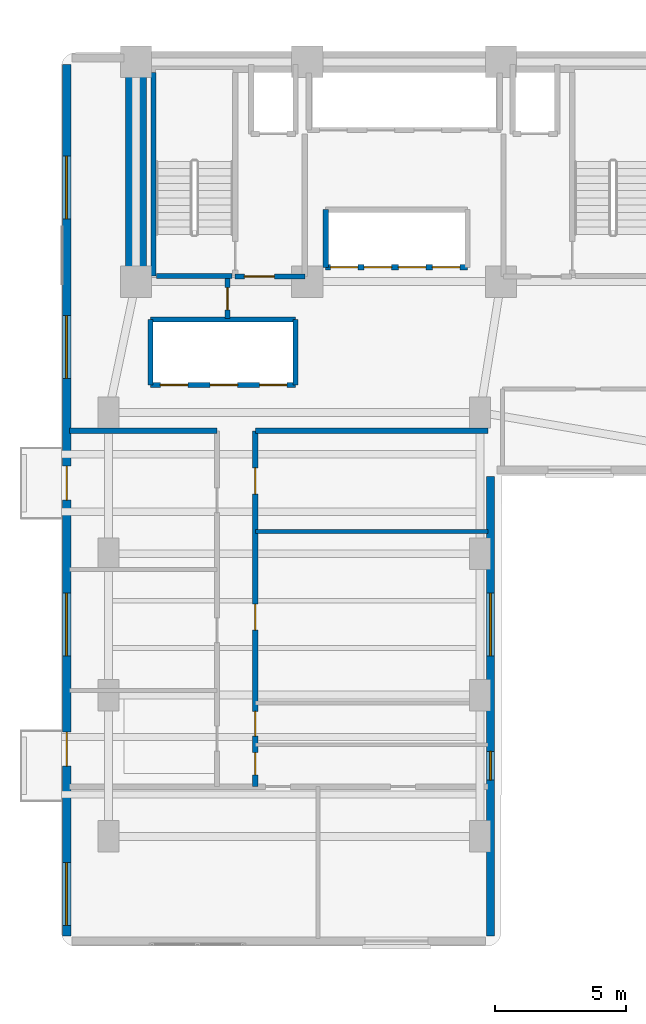
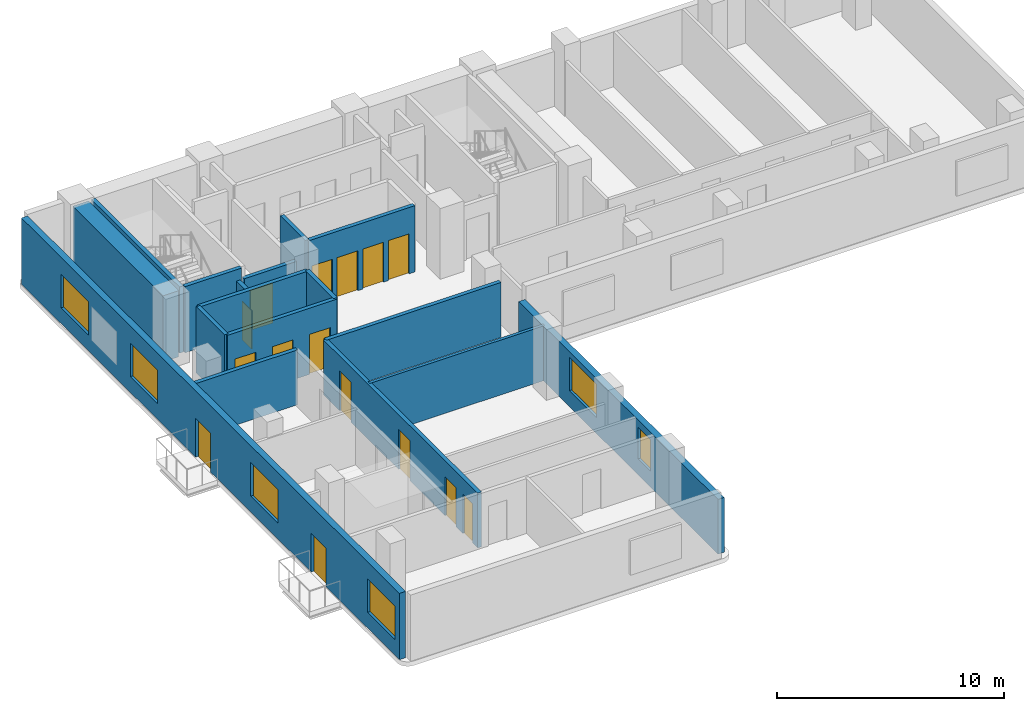
# One storey, part 9 of 16: 17 walls, 15 doors, 6 windows, 21 openings.
"""IFC4 building model written with IfcOpenShell, lengths in metres."""

import ifcopenshell
import ifcopenshell.guid

model = None  # the IFC model being written
_history = None  # IfcOwnerHistory: only IFC2X3 demands one
_inside = {}  # id of a spatial element -> (the spatial element, [elements in it])
_under = {}  # id of a project, library or spatial element -> (it, [spatial elements below it])
_declared = {}  # id of a project -> (the project, [libraries it declares])
_typed = {}  # id of a type object -> (the type object, [elements of that type])
_made_of = {}  # id of a material, layer set ... -> (it, [elements and type objects made of it])


def new_model(schema):
    """Start an empty IFC model of exactly this schema.

    Asked for "IFC4X3", IfcOpenShell would pick the latest addendum, in which some entities
    have other attributes; the version numbers below select the first issue.
    IFC2X3 requires an IfcOwnerHistory on every rooted entity: one is made here for all.
    """
    global model, _history
    if schema == "IFC4X3":
        model = ifcopenshell.file(schema_version=(4, 3, 0, 0))
    else:
        model = ifcopenshell.file(schema=schema)
    _inside.clear()
    _under.clear()
    _declared.clear()
    _typed.clear()
    _made_of.clear()
    _history = None
    if model.schema == "IFC2X3":
        org = make("IfcOrganization", Name="unknown")
        user = make(
            "IfcPersonAndOrganization",
            ThePerson=make("IfcPerson", FamilyName="unknown"),
            TheOrganization=org,
        )
        app = make(
            "IfcApplication",
            ApplicationDeveloper=org,
            Version="unknown",
            ApplicationFullName="unknown",
            ApplicationIdentifier="unknown",
        )
        _history = make(
            "IfcOwnerHistory",
            OwningUser=user,
            OwningApplication=app,
            ChangeAction="ADDED",
            CreationDate=0,
        )
    return model


def make(cls, **values):
    """One entity of the class cls with the attributes given. An attribute that is None is left unset."""
    return model.create_entity(
        cls, **{name: value for name, value in values.items() if value is not None}
    )


def rooted(cls, **values):
    """An entity with a GlobalId (a new one), such as an element, a storey or a relation."""
    return make(cls, GlobalId=ifcopenshell.guid.new(), OwnerHistory=_history, **values)


def si_unit(unit_type, name, prefix=None):
    """IfcSIUnit, for example si_unit("LENGTHUNIT", "METRE", prefix="MILLI")."""
    return make("IfcSIUnit", UnitType=unit_type, Prefix=prefix, Name=name)


def assignment(units):
    """IfcUnitAssignment: the units of a project."""
    return None if units is None else make("IfcUnitAssignment", Units=units)


def point(xyz):
    """IfcCartesianPoint."""
    return None if xyz is None else make("IfcCartesianPoint", Coordinates=xyz)


def direction(xyz):
    """IfcDirection."""
    return None if xyz is None else make("IfcDirection", DirectionRatios=xyz)


def frame(location, z_axis=None, x_axis=None):
    """IfcAxis2Placement3D, a coordinate frame: its origin and axes. An axis left out is left unset."""
    return make(
        "IfcAxis2Placement3D",
        Location=point(location),
        Axis=direction(z_axis),
        RefDirection=direction(x_axis),
    )


def frame_2d(location, x_axis=None):
    """IfcAxis2Placement2D, a coordinate frame in the plane: its origin and x axis."""
    return make(
        "IfcAxis2Placement2D", Location=point(location), RefDirection=direction(x_axis)
    )


def origin():
    """The frame at (0, 0, 0) with its axes left unset."""
    return frame((0.0, 0.0, 0.0))


def place(relative_to, where):
    """IfcLocalPlacement: puts the frame where relative to a parent placement (None: the world)."""
    return make(
        "IfcLocalPlacement", PlacementRelTo=relative_to, RelativePlacement=where
    )


def context(
    kind, dimensions, precision=None, world=None, true_north=None, identifier=None
):
    """IfcGeometricRepresentationContext, for example the 3D "Model" context."""
    return make(
        "IfcGeometricRepresentationContext",
        ContextIdentifier=identifier,
        ContextType=kind,
        CoordinateSpaceDimension=dimensions,
        Precision=precision,
        WorldCoordinateSystem=world,
        TrueNorth=true_north,
    )


def subcontext(parent, identifier, kind, view, scale=None):
    """IfcGeometricRepresentationSubContext, for example "Body" below "Model"."""
    return make(
        "IfcGeometricRepresentationSubContext",
        ContextIdentifier=identifier,
        ContextType=kind,
        ParentContext=parent,
        TargetScale=scale,
        TargetView=view,
    )


def project(units=None, contexts=None):
    """IfcProject with its units and contexts."""
    return rooted(
        "IfcProject",
        Name="project",
        RepresentationContexts=contexts,
        UnitsInContext=assignment(units),
    )


def spatial(cls, under=None, at=None, **own):
    """A site, building, storey or space (cls), placed at a placement, below another one or the project."""
    s = rooted(cls, ObjectPlacement=at, **own)
    if under is not None:
        _under.setdefault(under.id(), (under, []))[1].append(s)
    return s


def profile(cls, at=None, kind="AREA", **sizes):
    """A parametric profile (cls). Its sizes go by their IFC names, for example OverallWidth=200.0."""
    return make(cls, ProfileType=kind, Position=at, **sizes)


def rectangle(**sizes):
    """IfcRectangleProfileDef."""
    return profile("IfcRectangleProfileDef", **sizes)


def extrude(swept, where, along, depth):
    """IfcExtrudedAreaSolid: the profile swept, set in the frame where, extruded along a direction by depth."""
    return make(
        "IfcExtrudedAreaSolid",
        SweptArea=swept,
        Position=where,
        ExtrudedDirection=direction(along),
        Depth=depth,
    )


def shape(context_of_items, identifier, shape_type, items):
    """IfcShapeRepresentation: the items that make up one representation, for example the "Body"."""
    return make(
        "IfcShapeRepresentation",
        ContextOfItems=context_of_items,
        RepresentationIdentifier=identifier,
        RepresentationType=shape_type,
        Items=items,
    )


def material(Name=None, Category=None):
    """IfcMaterial."""
    return make("IfcMaterial", Name=Name, Category=Category)


def layer(
    of_material, thickness, ventilated=None, Name=None, Category=None, Priority=None
):
    """IfcMaterialLayer: one layer of a wall or slab, of a material (None: an air gap)."""
    return make(
        "IfcMaterialLayer",
        Material=of_material,
        LayerThickness=thickness,
        IsVentilated=ventilated,
        Name=Name,
        Category=Category,
        Priority=Priority,
    )


def layer_set(layers, Name=None):
    """IfcMaterialLayerSet."""
    return make("IfcMaterialLayerSet", MaterialLayers=layers, LayerSetName=Name)


def made_of(thing, what):
    """Note that an element or type object is made of a material, layer set ...; save() writes the relation."""
    if what is not None:
        _made_of.setdefault(what.id(), (what, []))[1].append(thing)
    return thing


def type_object(cls, material=None, **own):
    """A type object (cls), such as IfcWallType, which elements share."""
    return made_of(rooted(cls, **own), material)


def element(
    cls,
    number,
    at=None,
    inside=None,
    cuts=None,
    type_object=None,
    material=None,
    context=None,
    identifier="Body",
    shape_type=None,
    held_by="IfcProductDefinitionShape",
    body=None,
    shapes=None,
    **own,
):
    """One element of the class cls, such as IfcWall. Its Tag is "e" and its number.

    at: its placement. inside: the storey or other place that contains it. cuts: it is an
    opening in that element (IfcRelVoidsElement). A single representation is given by context,
    identifier, shape_type and body (its items); several are given by shapes. held_by: the class
    of the entity that holds the representations. save() writes the other relations.
    """
    e = rooted(cls, Tag="e%d" % number, ObjectPlacement=at, **own)
    if body is not None:
        shapes = [shape(context, identifier, shape_type, body)]
    if shapes is not None:
        e.Representation = make(held_by, Representations=shapes)
    if inside is not None:
        _inside.setdefault(inside.id(), (inside, []))[1].append(e)
    if cuts is not None:
        rooted(
            "IfcRelVoidsElement", RelatingBuildingElement=cuts, RelatedOpeningElement=e
        )
    if type_object is not None:
        _typed.setdefault(type_object.id(), (type_object, []))[1].append(e)
    return made_of(e, material)


def fill(opening, filler):
    """IfcRelFillsElement: the door or window that sits in an opening."""
    return rooted(
        "IfcRelFillsElement",
        RelatingOpeningElement=opening,
        RelatedBuildingElement=filler,
    )


def aggregate(whole, parts):
    """IfcRelAggregates: a whole, such as a stair, and the parts it consists of."""
    return rooted("IfcRelAggregates", RelatingObject=whole, RelatedObjects=parts)


def save(model, path):
    """Write the relations noted so far, then the file.

    IfcRelAggregates (storeys below a building ...), IfcRelContainedInSpatialStructure (elements
    in a storey), IfcRelDefinesByType, IfcRelAssociatesMaterial and IfcRelDeclares: one each for
    every whole, place, type object, material and project.
    """
    for whole, parts in _under.values():
        aggregate(whole, parts)
    for where, things in _inside.values():
        rooted(
            "IfcRelContainedInSpatialStructure",
            RelatedElements=things,
            RelatingStructure=where,
        )
    for kind, things in _typed.values():
        rooted("IfcRelDefinesByType", RelatedObjects=things, RelatingType=kind)
    for what, things in _made_of.values():
        rooted("IfcRelAssociatesMaterial", RelatedObjects=things, RelatingMaterial=what)
    for by, libraries in _declared.values():
        rooted("IfcRelDeclares", RelatingContext=by, RelatedDefinitions=libraries)
    model.write(path)


model = new_model("IFC4")

# Units and contexts
model_context = context("Model", 3, precision=1e-05, world=origin(), true_north=direction((0.0, 1.0)))
body_context = subcontext(model_context, "Body", "Model", "MODEL_VIEW")
ifc_project = project(units=[si_unit("LENGTHUNIT", "METRE"), si_unit("AREAUNIT", "SQUARE_METRE"), si_unit("VOLUMEUNIT", "CUBIC_METRE"), si_unit("PLANEANGLEUNIT", "RADIAN"), si_unit("MASSUNIT", "GRAM", prefix="KILO")], contexts=[model_context])

# Site, building, storey
site_placement = place(None, origin())
site = spatial("IfcSite", under=ifc_project, at=site_placement, CompositionType="ELEMENT")
building_placement = place(site_placement, origin())
building = spatial("IfcBuilding", under=site, at=building_placement, Name="Kuzgunbayir Cultural Tower", CompositionType="ELEMENT")
storey_placement = place(building_placement, frame((0.0, 0.0, 75.60009765625)))
storey = spatial("IfcBuildingStorey", under=building, at=storey_placement, Name="L21", CompositionType="ELEMENT", Elevation=75.60009765625)

# Wall
ifc_material_1 = material(Name="Concrete C60/75", Category="concrete")
ifc_layer_1 = layer(ifc_material_1, 0.800048828125)
ifc_layer_set_1 = layer_set([ifc_layer_1], Name="Concrete C60/75")
wall_type_1 = type_object("IfcWallType", Name="WAL-CORE-800", PredefinedType="SHEAR", material=ifc_layer_set_1)
wall_1_placement = place(storey_placement, frame((6.449951171875, 33.800048828125, 0.0), z_axis=(0.0, 0.0, 1.0), x_axis=(0.0, 1.0, 0.0)))
element("IfcWall", 1, at=wall_1_placement, inside=storey, type_object=wall_type_1, Name="L21 T1 Core West Shear Wall", PredefinedType="SHEAR", context=body_context, shape_type="SweptSolid", body=[
    extrude(rectangle(XDim=7.949951171875, YDim=0.800048828125, at=frame_2d((3.97509765625, 0.0))), origin(), (0.0, 0.0, 1.0), 3.559814453125),
])

# Wall, openings, doors, windows
ifc_material_2 = material(Name="Travertine Buff Ashlar", Category="masonry")
ifc_layer_2 = layer(ifc_material_2, 0.320068359375)
ifc_layer_set_2 = layer_set([ifc_layer_2], Name="Travertine Buff Ashlar")
wall_type_2 = type_object("IfcWallType", Name="WAL-EXT-STONE-320", PredefinedType="STANDARD", material=ifc_layer_set_2)
wall_2_placement = place(storey_placement, frame((3.800048828125, 42.10009765625, 0.0), z_axis=(0.0, 0.0, 1.0), x_axis=(0.0, -1.0, 0.0)))
wall_2 = element("IfcWall", 2, at=wall_2_placement, inside=storey, type_object=wall_type_2, Name="L21 Wing A West Limestone Wall", PredefinedType="STANDARD", context=body_context, shape_type="SweptSolid", body=[
    extrude(rectangle(XDim=33.300048828125, YDim=0.320068359375, at=frame_2d((16.64990234375, 0.0))), origin(), (0.0, 0.0, 1.0), 3.559814453125),
])
opening_1_placement = place(wall_2_placement, frame((25.52001953125, 0.0, 0.0)))
opening_1 = element("IfcOpeningElement", 3, at=opening_1_placement, cuts=wall_2, Name="Opening BD-13", PredefinedType="OPENING", context=body_context, shape_type="SweptSolid", body=[
    extrude(rectangle(XDim=1.300048828125, YDim=2.080078125, at=frame_2d((0.64990234375, 1.0400390625))), frame((0.0, 0.169921875, 0.0), z_axis=(0.0, -1.0, 0.0), x_axis=(1.0, 0.0, 0.0)), (0.0, 0.0, 1.0), 0.340087890625),
])
opening_2_placement = place(wall_2_placement, frame((15.35009765625, 0.0, 0.0)))
opening_2 = element("IfcOpeningElement", 4, at=opening_2_placement, cuts=wall_2, Name="Opening BD-13", PredefinedType="OPENING", context=body_context, shape_type="SweptSolid", body=[
    extrude(rectangle(XDim=1.300048828125, YDim=2.080078125, at=frame_2d((0.64990234375, 1.0400390625))), frame((0.0, 0.169921875, 0.0), z_axis=(0.0, -1.0, 0.0), x_axis=(1.0, 0.0, 0.0)), (0.0, 0.0, 1.0), 0.340087890625),
])
opening_3_placement = place(wall_2_placement, frame((30.5, 0.0, 0.85009765625)))
opening_3 = element("IfcOpeningElement", 5, at=opening_3_placement, cuts=wall_2, Name="Opening WO-24", PredefinedType="OPENING", context=body_context, shape_type="SweptSolid", body=[
    extrude(rectangle(XDim=2.39990234375, YDim=1.800048828125, at=frame_2d((1.199951171875, 0.89990234375))), frame((0.0, 0.169921875, 0.0), z_axis=(0.0, -1.0, 0.0), x_axis=(1.0, 0.0, 0.0)), (0.0, 0.0, 1.0), 0.340087890625),
])
opening_4_placement = place(wall_2_placement, frame((20.199951171875, 0.0, 0.85009765625)))
opening_4 = element("IfcOpeningElement", 6, at=opening_4_placement, cuts=wall_2, Name="Opening WO-24", PredefinedType="OPENING", context=body_context, shape_type="SweptSolid", body=[
    extrude(rectangle(XDim=2.39990234375, YDim=1.800048828125, at=frame_2d((1.199951171875, 0.89990234375))), frame((0.0, 0.169921875, 0.0), z_axis=(0.0, -1.0, 0.0), x_axis=(1.0, 0.0, 0.0)), (0.0, 0.0, 1.0), 0.340087890625),
])
opening_5_placement = place(wall_2_placement, frame((9.60009765625, 0.0, 0.85009765625)))
opening_5 = element("IfcOpeningElement", 7, at=opening_5_placement, cuts=wall_2, Name="Opening WO-24", PredefinedType="OPENING", context=body_context, shape_type="SweptSolid", body=[
    extrude(rectangle(XDim=2.39990234375, YDim=1.800048828125, at=frame_2d((1.199951171875, 0.89990234375))), frame((0.0, 0.169921875, 0.0), z_axis=(0.0, -1.0, 0.0), x_axis=(1.0, 0.0, 0.0)), (0.0, 0.0, 1.0), 0.340087890625),
])
opening_6_placement = place(wall_2_placement, frame((3.5, 0.0, 0.85009765625)))
opening_6 = element("IfcOpeningElement", 8, at=opening_6_placement, cuts=wall_2, Name="Opening WO-24", PredefinedType="OPENING", context=body_context, shape_type="SweptSolid", body=[
    extrude(rectangle(XDim=2.39990234375, YDim=1.800048828125, at=frame_2d((1.199951171875, 0.89990234375))), frame((0.0, 0.169921875, 0.0), z_axis=(0.0, -1.0, 0.0), x_axis=(1.0, 0.0, 0.0)), (0.0, 0.0, 1.0), 0.340087890625),
])
ifc_material_3 = material(Name="Thermally Broken Glazed Aluminium", Category="aluminium")
door_type_1 = type_object("IfcDoorType", Name="DR-BALCONY-135", OperationType="SLIDING_TO_LEFT", PredefinedType="DOOR", material=ifc_material_3)
door_1_placement = place(opening_1_placement, origin())
door_1 = element("IfcDoor", 9, at=door_1_placement, inside=storey, type_object=door_type_1, Name="L21 West Balcony Sliding Door BAL-L21-WA1", OperationType="SLIDING_TO_LEFT", OverallHeight=2.080078125, OverallWidth=1.300048828125, PredefinedType="DOOR", context=body_context, shape_type="SweptSolid", body=[
    extrude(rectangle(XDim=1.300048828125, YDim=2.080078125, at=frame_2d((0.64990234375, 1.0400390625))), frame((0.0, 0.02490234375, 0.0), z_axis=(0.0, -1.0, 0.0), x_axis=(1.0, 0.0, 0.0)), (0.0, 0.0, 1.0), 0.050048828125),
])
fill(opening_1, door_1)
door_2_placement = place(opening_2_placement, origin())
door_2 = element("IfcDoor", 10, at=door_2_placement, inside=storey, type_object=door_type_1, Name="L21 West Balcony Sliding Door BAL-L21-WA3", OperationType="SLIDING_TO_LEFT", OverallHeight=2.080078125, OverallWidth=1.300048828125, PredefinedType="DOOR", context=body_context, shape_type="SweptSolid", body=[
    extrude(rectangle(XDim=1.300048828125, YDim=2.080078125, at=frame_2d((0.64990234375, 1.0400390625))), frame((0.0, 0.02490234375, 0.0), z_axis=(0.0, -1.0, 0.0), x_axis=(1.0, 0.0, 0.0)), (0.0, 0.0, 1.0), 0.050048828125),
])
fill(opening_2, door_2)
ifc_material_4 = material(Name="Solar-Control Triple Glazing", Category="glass")
window_type_1 = type_object("IfcWindowType", Name="WIN-OFFICE-24", PartitioningType="SINGLE_PANEL", PredefinedType="WINDOW", material=ifc_material_4)
window_1_placement = place(opening_3_placement, origin())
window_1 = element("IfcWindow", 11, at=window_1_placement, inside=storey, type_object=window_type_1, Name="L21 WAW Facade Window 1", OverallHeight=1.800048828125, OverallWidth=2.39990234375, PartitioningType="SINGLE_PANEL", PredefinedType="WINDOW", context=body_context, shape_type="SweptSolid", body=[
    extrude(rectangle(XDim=2.39990234375, YDim=1.800048828125, at=frame_2d((1.199951171875, 0.89990234375))), frame((0.0, 0.030029296875, 0.0), z_axis=(0.0, -1.0, 0.0), x_axis=(1.0, 0.0, 0.0)), (0.0, 0.0, 1.0), 0.06005859375),
])
fill(opening_3, window_1)
window_2_placement = place(opening_4_placement, origin())
window_2 = element("IfcWindow", 12, at=window_2_placement, inside=storey, type_object=window_type_1, Name="L21 WAW Facade Window 2", OverallHeight=1.800048828125, OverallWidth=2.39990234375, PartitioningType="SINGLE_PANEL", PredefinedType="WINDOW", context=body_context, shape_type="SweptSolid", body=[
    extrude(rectangle(XDim=2.39990234375, YDim=1.800048828125, at=frame_2d((1.199951171875, 0.89990234375))), frame((0.0, 0.030029296875, 0.0), z_axis=(0.0, -1.0, 0.0), x_axis=(1.0, 0.0, 0.0)), (0.0, 0.0, 1.0), 0.06005859375),
])
fill(opening_4, window_2)
window_3_placement = place(opening_5_placement, origin())
window_3 = element("IfcWindow", 13, at=window_3_placement, inside=storey, type_object=window_type_1, Name="L21 WAW Facade Window 3", OverallHeight=1.800048828125, OverallWidth=2.39990234375, PartitioningType="SINGLE_PANEL", PredefinedType="WINDOW", context=body_context, shape_type="SweptSolid", body=[
    extrude(rectangle(XDim=2.39990234375, YDim=1.800048828125, at=frame_2d((1.199951171875, 0.89990234375))), frame((0.0, 0.030029296875, 0.0), z_axis=(0.0, -1.0, 0.0), x_axis=(1.0, 0.0, 0.0)), (0.0, 0.0, 1.0), 0.06005859375),
])
fill(opening_5, window_3)
window_4_placement = place(opening_6_placement, origin())
window_4 = element("IfcWindow", 14, at=window_4_placement, inside=storey, type_object=window_type_1, Name="L21 WAW Facade Window 4", OverallHeight=1.800048828125, OverallWidth=2.39990234375, PartitioningType="SINGLE_PANEL", PredefinedType="WINDOW", context=body_context, shape_type="SweptSolid", body=[
    extrude(rectangle(XDim=2.39990234375, YDim=1.800048828125, at=frame_2d((1.199951171875, 0.89990234375))), frame((0.0, 0.030029296875, 0.0), z_axis=(0.0, -1.0, 0.0), x_axis=(1.0, 0.0, 0.0)), (0.0, 0.0, 1.0), 0.06005859375),
])
fill(opening_6, window_4)

# Wall, openings, windows
wall_3_placement = place(storey_placement, frame((20.0, 8.800048828125, 0.0), z_axis=(0.0, 0.0, 1.0), x_axis=(0.0, 1.0, 0.0)))
wall_3 = element("IfcWall", 15, at=wall_3_placement, inside=storey, type_object=wall_type_2, Name="L21 Wing A East Limestone Wall", PredefinedType="STANDARD", context=body_context, shape_type="SweptSolid", body=[
    extrude(rectangle(XDim=17.550048828125, YDim=0.320068359375, at=frame_2d((8.77490234375, 0.0))), origin(), (0.0, 0.0, 1.0), 2.949951171875),
])
opening_7_placement = place(wall_3_placement, frame((5.949951171875, 0.0, 0.85009765625)))
opening_7 = element("IfcOpeningElement", 16, at=opening_7_placement, cuts=wall_3, Name="Opening WN-11", PredefinedType="OPENING", context=body_context, shape_type="SweptSolid", body=[
    extrude(rectangle(XDim=1.10009765625, YDim=1.699951171875, at=frame_2d((0.550048828125, 0.85009765625))), frame((0.0, 0.169921875, 0.0), z_axis=(0.0, -1.0, 0.0), x_axis=(1.0, 0.0, 0.0)), (0.0, 0.0, 1.0), 0.340087890625),
])
opening_8_placement = place(wall_3_placement, frame((10.699951171875, 0.0, 0.85009765625)))
opening_8 = element("IfcOpeningElement", 17, at=opening_8_placement, cuts=wall_3, Name="Opening WO-24", PredefinedType="OPENING", context=body_context, shape_type="SweptSolid", body=[
    extrude(rectangle(XDim=2.39990234375, YDim=1.800048828125, at=frame_2d((1.199951171875, 0.89990234375))), frame((0.0, 0.169921875, 0.0), z_axis=(0.0, -1.0, 0.0), x_axis=(1.0, 0.0, 0.0)), (0.0, 0.0, 1.0), 0.340087890625),
])
window_type_2 = type_object("IfcWindowType", Name="WIN-NARROW-11", PartitioningType="SINGLE_PANEL", PredefinedType="WINDOW", material=ifc_material_4)
window_5_placement = place(opening_7_placement, origin())
window_5 = element("IfcWindow", 18, at=window_5_placement, inside=storey, type_object=window_type_2, Name="L21 WAE Facade Window 5", OverallHeight=1.699951171875, OverallWidth=1.10009765625, PartitioningType="SINGLE_PANEL", PredefinedType="WINDOW", context=body_context, shape_type="SweptSolid", body=[
    extrude(rectangle(XDim=1.10009765625, YDim=1.699951171875, at=frame_2d((0.550048828125, 0.85009765625))), frame((0.0, 0.030029296875, 0.0), z_axis=(0.0, -1.0, 0.0), x_axis=(1.0, 0.0, 0.0)), (0.0, 0.0, 1.0), 0.06005859375),
])
fill(opening_7, window_5)
window_6_placement = place(opening_8_placement, origin())
window_6 = element("IfcWindow", 19, at=window_6_placement, inside=storey, type_object=window_type_1, Name="L21 WAE Facade Window 6", OverallHeight=1.800048828125, OverallWidth=2.39990234375, PartitioningType="SINGLE_PANEL", PredefinedType="WINDOW", context=body_context, shape_type="SweptSolid", body=[
    extrude(rectangle(XDim=2.39990234375, YDim=1.800048828125, at=frame_2d((1.199951171875, 0.89990234375))), frame((0.0, 0.030029296875, 0.0), z_axis=(0.0, -1.0, 0.0), x_axis=(1.0, 0.0, 0.0)), (0.0, 0.0, 1.0), 0.06005859375),
])
fill(opening_8, window_6)

# Wall
ifc_material_5 = material(Name="Acoustic Double-Stud Drywall", Category="gypsum")
ifc_layer_3 = layer(ifc_material_5, 0.14990234375)
ifc_layer_set_3 = layer_set([ifc_layer_3], Name="Acoustic Double-Stud Drywall")
wall_type_3 = type_object("IfcWallType", Name="WAL-PART-ACOUSTIC-150", PredefinedType="PARTITIONING", material=ifc_layer_set_3)
wall_4_placement = place(storey_placement, frame((11.010009765625, 24.25, 0.0), z_axis=(0.0, 0.0, 1.0), x_axis=(1.0, 0.0, 0.0)))
element("IfcWall", 20, at=wall_4_placement, inside=storey, type_object=wall_type_3, Name="L21 East Studio Divider 1", PredefinedType="PARTITIONING", context=body_context, shape_type="SweptSolid", body=[
    extrude(rectangle(XDim=8.889892578125, YDim=0.14990234375, at=frame_2d((4.44482421875, 0.0))), origin(), (0.0, 0.0, 1.0), 2.949951171875),
])

# Wall, opening, door
ifc_material_6 = material(Name="Aerated Concrete Blockwork", Category="masonry")
ifc_layer_4 = layer(ifc_material_6, 0.199951171875)
ifc_layer_set_4 = layer_set([ifc_layer_4], Name="Aerated Concrete Blockwork")
wall_type_4 = type_object("IfcWallType", Name="WAL-PART-FIRE-200", PredefinedType="PARTITIONING", material=ifc_layer_set_4)
wall_5_placement = place(storey_placement, frame((10.239990234375, 34.0, 0.0), z_axis=(0.0, 0.0, 1.0), x_axis=(1.0, 0.0, 0.0)))
wall_5 = element("IfcWall", 21, at=wall_5_placement, inside=storey, type_object=wall_type_4, Name="L21 FFL-1 Lobby South Fire Wall", PredefinedType="PARTITIONING", context=body_context, shape_type="SweptSolid", body=[
    extrude(rectangle(XDim=2.659912109375, YDim=0.199951171875, at=frame_2d((1.330078125, 0.0))), origin(), (0.0, 0.0, 1.0), 2.949951171875),
])
opening_9_placement = place(wall_5_placement, frame((0.35009765625, 0.0, 0.0)))
opening_9 = element("IfcOpeningElement", 22, at=opening_9_placement, cuts=wall_5, Name="Opening DR-FFL-90", PredefinedType="OPENING", context=body_context, shape_type="SweptSolid", body=[
    extrude(rectangle(XDim=1.14990234375, YDim=2.14990234375, at=frame_2d((0.574951171875, 1.074951171875))), frame((0.0, 0.10986328125, 0.0), z_axis=(0.0, -1.0, 0.0), x_axis=(1.0, 0.0, 0.0)), (0.0, 0.0, 1.0), 0.219970703125),
])
ifc_material_7 = material(Name="Steel S355J2", Category="steel")
door_type_2 = type_object("IfcDoorType", Name="DR-FFL-90", OperationType="NOTDEFINED", PredefinedType="DOOR", material=ifc_material_7)
door_3_placement = place(opening_9_placement, origin())
door_3 = element("IfcDoor", 23, at=door_3_placement, inside=storey, type_object=door_type_2, Name="L21 Firefighting Lobby 1 Door", OperationType="SINGLE_SWING_LEFT", OverallHeight=2.14990234375, OverallWidth=1.14990234375, PredefinedType="DOOR", context=body_context, shape_type="SweptSolid", body=[
    extrude(rectangle(XDim=1.14990234375, YDim=2.14990234375, at=frame_2d((0.574951171875, 1.074951171875))), frame((0.0, 0.02490234375, 0.0), z_axis=(0.0, -1.0, 0.0), x_axis=(1.0, 0.0, 0.0)), (0.0, 0.0, 1.0), 0.050048828125),
])
fill(opening_9, door_3)

wall_6_placement = place(storey_placement, frame((9.949951171875, 32.39990234375, 0.0), z_axis=(0.0, 0.0, 1.0), x_axis=(0.0, 1.0, 0.0)))
wall_6 = element("IfcWall", 24, at=wall_6_placement, inside=storey, type_object=wall_type_4, Name="L21 West Core Service Closet Wall", PredefinedType="PARTITIONING", context=body_context, shape_type="SweptSolid", body=[
    extrude(rectangle(XDim=1.52001953125, YDim=0.199951171875, at=frame_2d((0.760009765625, 0.0))), origin(), (0.0, 0.0, 1.0), 2.949951171875),
])
opening_10_placement = place(wall_6_placement, frame((0.320068359375, 0.0, 0.0)))
opening_10 = element("IfcOpeningElement", 25, at=opening_10_placement, cuts=wall_6, Name="Opening DR-RSR-60", PredefinedType="OPENING", context=body_context, shape_type="SweptSolid", body=[
    extrude(rectangle(XDim=0.85009765625, YDim=2.050048828125, at=frame_2d((0.425048828125, 1.02490234375))), frame((0.0, 0.10986328125, 0.0), z_axis=(0.0, -1.0, 0.0), x_axis=(1.0, 0.0, 0.0)), (0.0, 0.0, 1.0), 0.219970703125),
])
ifc_material_8 = material(Name="Steel Access Leaf", Category="steel")
door_type_3 = type_object("IfcDoorType", Name="DR-RISER-60", OperationType="NOTDEFINED", PredefinedType="DOOR", material=ifc_material_8)
door_4_placement = place(opening_10_placement, origin())
door_4 = element("IfcDoor", 26, at=door_4_placement, inside=storey, type_object=door_type_3, Name="L21 Cleaner Utility Store Door", OperationType="SINGLE_SWING_LEFT", OverallHeight=2.050048828125, OverallWidth=0.85009765625, PredefinedType="DOOR", context=body_context, shape_type="SweptSolid", body=[
    extrude(rectangle(XDim=0.85009765625, YDim=2.050048828125, at=frame_2d((0.425048828125, 1.02490234375))), frame((0.0, 0.02490234375, 0.0), z_axis=(0.0, -1.0, 0.0), x_axis=(1.0, 0.0, 0.0)), (0.0, 0.0, 1.0), 0.050048828125),
])
fill(opening_10, door_4)

# Wall, openings, doors
wall_7_placement = place(storey_placement, frame((11.010009765625, 14.5, 0.0), z_axis=(0.0, 0.0, 1.0), x_axis=(0.0, 1.0, 0.0)))
wall_7 = element("IfcWall", 27, at=wall_7_placement, inside=storey, type_object=wall_type_4, Name="L21 Wing A East Corridor Wall", PredefinedType="PARTITIONING", context=body_context, shape_type="SweptSolid", body=[
    extrude(rectangle(XDim=13.60009765625, YDim=0.199951171875, at=frame_2d((6.800048828125, 0.0))), origin(), (0.0, 0.0, 1.0), 2.949951171875),
])
opening_11_placement = place(wall_7_placement, frame((0.449951171875, 0.0, 0.0)))
opening_11 = element("IfcOpeningElement", 28, at=opening_11_placement, cuts=wall_7, Name="Opening DW-85", PredefinedType="OPENING", context=body_context, shape_type="SweptSolid", body=[
    extrude(rectangle(XDim=0.85009765625, YDim=2.10009765625, at=frame_2d((0.425048828125, 1.050048828125))), frame((0.0, 0.10986328125, 0.0), z_axis=(0.0, -1.0, 0.0), x_axis=(1.0, 0.0, 0.0)), (0.0, 0.0, 1.0), 0.219970703125),
])
opening_12_placement = place(wall_7_placement, frame((1.929931640625, 0.0, 0.0)))
opening_12 = element("IfcOpeningElement", 29, at=opening_12_placement, cuts=wall_7, Name="Opening DW-95", PredefinedType="OPENING", context=body_context, shape_type="SweptSolid", body=[
    extrude(rectangle(XDim=0.949951171875, YDim=2.10009765625, at=frame_2d((0.47509765625, 1.050048828125))), frame((0.0, 0.10986328125, 0.0), z_axis=(0.0, -1.0, 0.0), x_axis=(1.0, 0.0, 0.0)), (0.0, 0.0, 1.0), 0.219970703125),
])
opening_13_placement = place(wall_7_placement, frame((5.97998046875, 0.0, 0.0)))
opening_13 = element("IfcOpeningElement", 30, at=opening_13_placement, cuts=wall_7, Name="Opening DI-100", PredefinedType="OPENING", context=body_context, shape_type="SweptSolid", body=[
    extrude(rectangle(XDim=1.0, YDim=2.14990234375, at=frame_2d((0.5, 1.074951171875))), frame((0.0, 0.10986328125, 0.0), z_axis=(0.0, -1.0, 0.0), x_axis=(1.0, 0.0, 0.0)), (0.0, 0.0, 1.0), 0.219970703125),
])
opening_14_placement = place(wall_7_placement, frame((11.179931640625, 0.0, 0.0)))
opening_14 = element("IfcOpeningElement", 31, at=opening_14_placement, cuts=wall_7, Name="Opening DI-100", PredefinedType="OPENING", context=body_context, shape_type="SweptSolid", body=[
    extrude(rectangle(XDim=1.0, YDim=2.14990234375, at=frame_2d((0.5, 1.074951171875))), frame((0.0, 0.10986328125, 0.0), z_axis=(0.0, -1.0, 0.0), x_axis=(1.0, 0.0, 0.0)), (0.0, 0.0, 1.0), 0.219970703125),
])
ifc_material_9 = material(Name="Veneered Oak Single Leaf", Category="wood")
door_type_4 = type_object("IfcDoorType", Name="DR-INT-100", OperationType="NOTDEFINED", PredefinedType="DOOR", material=ifc_material_9)
door_5_placement = place(opening_13_placement, origin())
door_5 = element("IfcDoor", 32, at=door_5_placement, inside=storey, type_object=door_type_4, Name="L21 East Culinary Tasting Pantry 1 Door", OperationType="SINGLE_SWING_LEFT", OverallHeight=2.14990234375, OverallWidth=1.0, PredefinedType="DOOR", context=body_context, shape_type="SweptSolid", body=[
    extrude(rectangle(XDim=1.0, YDim=2.14990234375, at=frame_2d((0.5, 1.074951171875))), frame((0.0, 0.02490234375, 0.0), z_axis=(0.0, -1.0, 0.0), x_axis=(1.0, 0.0, 0.0)), (0.0, 0.0, 1.0), 0.050048828125),
])
fill(opening_13, door_5)
door_6_placement = place(opening_14_placement, origin())
door_6 = element("IfcDoor", 33, at=door_6_placement, inside=storey, type_object=door_type_4, Name="L21 East Fellows Reading Lounge 2 Door", OperationType="SINGLE_SWING_RIGHT", OverallHeight=2.14990234375, OverallWidth=1.0, PredefinedType="DOOR", context=body_context, shape_type="SweptSolid", body=[
    extrude(rectangle(XDim=1.0, YDim=2.14990234375, at=frame_2d((0.5, 1.074951171875))), frame((0.0, 0.02490234375, 0.0), z_axis=(0.0, -1.0, 0.0), x_axis=(1.0, 0.0, 0.0)), (0.0, 0.0, 1.0), 0.050048828125),
])
fill(opening_14, door_6)
ifc_material_10 = material(Name="Laminate Moisture-Resistant Leaf", Category="wood")
door_type_5 = type_object("IfcDoorType", Name="DR-WET-85", OperationType="NOTDEFINED", PredefinedType="DOOR", material=ifc_material_10)
door_7_placement = place(opening_11_placement, origin())
door_7 = element("IfcDoor", 34, at=door_7_placement, inside=storey, type_object=door_type_5, Name="L21 Restroom Door", OperationType="SINGLE_SWING_LEFT", OverallHeight=2.10009765625, OverallWidth=0.85009765625, PredefinedType="DOOR", context=body_context, shape_type="SweptSolid", body=[
    extrude(rectangle(XDim=0.85009765625, YDim=2.10009765625, at=frame_2d((0.425048828125, 1.050048828125))), frame((0.0, 0.02490234375, 0.0), z_axis=(0.0, -1.0, 0.0), x_axis=(1.0, 0.0, 0.0)), (0.0, 0.0, 1.0), 0.050048828125),
])
fill(opening_11, door_7)
door_type_6 = type_object("IfcDoorType", Name="DR-WET-95", OperationType="NOTDEFINED", PredefinedType="DOOR", material=ifc_material_10)
door_8_placement = place(opening_12_placement, origin())
door_8 = element("IfcDoor", 35, at=door_8_placement, inside=storey, type_object=door_type_6, Name="L21 Accessible WC Door", OperationType="SINGLE_SWING_RIGHT", OverallHeight=2.10009765625, OverallWidth=0.949951171875, PredefinedType="DOOR", context=body_context, shape_type="SweptSolid", body=[
    extrude(rectangle(XDim=0.949951171875, YDim=2.10009765625, at=frame_2d((0.47509765625, 1.050048828125))), frame((0.0, 0.02490234375, 0.0), z_axis=(0.0, -1.0, 0.0), x_axis=(1.0, 0.0, 0.0)), (0.0, 0.0, 1.0), 0.050048828125),
])
fill(opening_12, door_8)

# Walls
wall_8_placement = place(storey_placement, frame((3.89990234375, 28.10009765625, 0.0), z_axis=(0.0, 0.0, 1.0), x_axis=(1.0, 0.0, 0.0)))
element("IfcWall", 36, at=wall_8_placement, inside=storey, type_object=wall_type_4, Name="L21 North West Partition", PredefinedType="PARTITIONING", context=body_context, shape_type="SweptSolid", body=[
    extrude(rectangle(XDim=5.650146484375, YDim=0.199951171875, at=frame_2d((2.8251953125, 0.0))), origin(), (0.0, 0.0, 1.0), 2.949951171875),
])
wall_9_placement = place(storey_placement, frame((11.010009765625, 28.10009765625, 0.0), z_axis=(0.0, 0.0, 1.0), x_axis=(1.0, 0.0, 0.0)))
element("IfcWall", 37, at=wall_9_placement, inside=storey, type_object=wall_type_4, Name="L21 North East Partition", PredefinedType="PARTITIONING", context=body_context, shape_type="SweptSolid", body=[
    extrude(rectangle(XDim=8.889892578125, YDim=0.199951171875, at=frame_2d((4.44482421875, 0.0))), origin(), (0.0, 0.0, 1.0), 2.949951171875),
])

# Wall, openings, doors
ifc_material_11 = material(Name="Concrete C40/50", Category="concrete")
ifc_layer_5 = layer(ifc_material_11, 0.199951171875)
ifc_layer_set_5 = layer_set([ifc_layer_5], Name="Concrete C40/50")
wall_type_5 = type_object("IfcWallType", Name="WAL-SHAFT-200", PredefinedType="MOVABLE", material=ifc_layer_set_5)
wall_10_placement = place(storey_placement, frame((7.0, 29.85009765625, 0.0), z_axis=(0.0, 0.0, 1.0), x_axis=(1.0, 0.0, 0.0)))
wall_10 = element("IfcWall", 38, at=wall_10_placement, inside=storey, type_object=wall_type_5, Name="L21 High-Rise Lift Shaft South Wall", PredefinedType="MOVABLE", context=body_context, shape_type="SweptSolid", body=[
    extrude(rectangle(XDim=5.550048828125, YDim=0.199951171875, at=frame_2d((2.77490234375, 0.0))), origin(), (0.0, 0.0, 1.0), 3.559814453125),
])
opening_15_placement = place(wall_10_placement, frame((0.3798828125, 0.0, 0.0)))
opening_15 = element("IfcOpeningElement", 39, at=opening_15_placement, cuts=wall_10, Name="Opening LD", PredefinedType="OPENING", context=body_context, shape_type="SweptSolid", body=[
    extrude(rectangle(XDim=1.050048828125, YDim=2.14990234375, at=frame_2d((0.52490234375, 1.074951171875))), frame((0.0, 0.10986328125, 0.0), z_axis=(0.0, -1.0, 0.0), x_axis=(1.0, 0.0, 0.0)), (0.0, 0.0, 1.0), 0.219970703125),
])
opening_16_placement = place(wall_10_placement, frame((2.280029296875, 0.0, 0.0)))
opening_16 = element("IfcOpeningElement", 40, at=opening_16_placement, cuts=wall_10, Name="Opening LD", PredefinedType="OPENING", context=body_context, shape_type="SweptSolid", body=[
    extrude(rectangle(XDim=1.050048828125, YDim=2.14990234375, at=frame_2d((0.52490234375, 1.074951171875))), frame((0.0, 0.10986328125, 0.0), z_axis=(0.0, -1.0, 0.0), x_axis=(1.0, 0.0, 0.0)), (0.0, 0.0, 1.0), 0.219970703125),
])
opening_17_placement = place(wall_10_placement, frame((4.169921875, 0.0, 0.0)))
opening_17 = element("IfcOpeningElement", 41, at=opening_17_placement, cuts=wall_10, Name="Opening LD", PredefinedType="OPENING", context=body_context, shape_type="SweptSolid", body=[
    extrude(rectangle(XDim=1.050048828125, YDim=2.14990234375, at=frame_2d((0.52490234375, 1.074951171875))), frame((0.0, 0.10986328125, 0.0), z_axis=(0.0, -1.0, 0.0), x_axis=(1.0, 0.0, 0.0)), (0.0, 0.0, 1.0), 0.219970703125),
])
ifc_material_12 = material(Name="Brushed Stainless Steel", Category="steel")
door_type_7 = type_object("IfcDoorType", Name="DR-LIFT-LANDING", OperationType="SLIDING_TO_LEFT", PredefinedType="DOOR", material=ifc_material_12)
door_9_placement = place(opening_15_placement, origin())
door_9 = element("IfcDoor", 42, at=door_9_placement, inside=storey, type_object=door_type_7, Name="L21 Lift PH-1 Landing Door", OperationType="SLIDING_TO_LEFT", OverallHeight=2.14990234375, OverallWidth=1.050048828125, PredefinedType="DOOR", context=body_context, shape_type="SweptSolid", body=[
    extrude(rectangle(XDim=1.050048828125, YDim=2.14990234375, at=frame_2d((0.52490234375, 1.074951171875))), frame((0.0, 0.02490234375, 0.0), z_axis=(0.0, -1.0, 0.0), x_axis=(1.0, 0.0, 0.0)), (0.0, 0.0, 1.0), 0.050048828125),
])
fill(opening_15, door_9)
door_10_placement = place(opening_16_placement, origin())
door_10 = element("IfcDoor", 43, at=door_10_placement, inside=storey, type_object=door_type_7, Name="L21 Lift PH-2 Landing Door", OperationType="SLIDING_TO_LEFT", OverallHeight=2.14990234375, OverallWidth=1.050048828125, PredefinedType="DOOR", context=body_context, shape_type="SweptSolid", body=[
    extrude(rectangle(XDim=1.050048828125, YDim=2.14990234375, at=frame_2d((0.52490234375, 1.074951171875))), frame((0.0, 0.02490234375, 0.0), z_axis=(0.0, -1.0, 0.0), x_axis=(1.0, 0.0, 0.0)), (0.0, 0.0, 1.0), 0.050048828125),
])
fill(opening_16, door_10)
door_11_placement = place(opening_17_placement, origin())
door_11 = element("IfcDoor", 44, at=door_11_placement, inside=storey, type_object=door_type_7, Name="L21 Lift PH-3 Landing Door", OperationType="SLIDING_TO_LEFT", OverallHeight=2.14990234375, OverallWidth=1.050048828125, PredefinedType="DOOR", context=body_context, shape_type="SweptSolid", body=[
    extrude(rectangle(XDim=1.050048828125, YDim=2.14990234375, at=frame_2d((0.52490234375, 1.074951171875))), frame((0.0, 0.02490234375, 0.0), z_axis=(0.0, -1.0, 0.0), x_axis=(1.0, 0.0, 0.0)), (0.0, 0.0, 1.0), 0.050048828125),
])
fill(opening_17, door_11)

# Walls
wall_11_placement = place(storey_placement, frame((7.0, 32.35009765625, 0.0), z_axis=(0.0, 0.0, 1.0), x_axis=(1.0, 0.0, 0.0)))
element("IfcWall", 45, at=wall_11_placement, inside=storey, type_object=wall_type_5, Name="L21 High-Rise Lift Shaft North Wall", PredefinedType="MOVABLE", context=body_context, shape_type="SweptSolid", body=[
    extrude(rectangle(XDim=5.550048828125, YDim=0.199951171875, at=frame_2d((2.77490234375, 0.0))), origin(), (0.0, 0.0, 1.0), 3.559814453125),
])
for number, where, z_axis, x_axis, name in (
    (46, (7.0, 29.85009765625, 0.0), (0.0, 0.0, 1.0), (0.0, 1.0, 0.0), "L21 High-Rise Lift Shaft West Wall"),
    (47, (12.550048828125, 29.85009765625, 0.0), (0.0, 0.0, 1.0), (0.0, 1.0, 0.0), "L21 High-Rise Lift Shaft East Wall"),
):
    element("IfcWall", number, at=place(storey_placement, frame(where, z_axis=z_axis, x_axis=x_axis)), inside=storey, type_object=wall_type_5, Name=name, PredefinedType="MOVABLE", context=body_context, shape_type="SweptSolid", body=[
        extrude(rectangle(XDim=2.5, YDim=0.199951171875, at=frame_2d((1.25, 0.0))), origin(), (0.0, 0.0, 1.0), 3.559814453125),
    ])

# Wall, openings, doors
wall_12_placement = place(storey_placement, frame((13.699951171875, 34.35009765625, 0.0), z_axis=(0.0, 0.0, 1.0), x_axis=(1.0, 0.0, 0.0)))
wall_12 = element("IfcWall", 48, at=wall_12_placement, inside=storey, type_object=wall_type_5, Name="L21 Mid-Rise Lift Front Wall", PredefinedType="MOVABLE", context=body_context, shape_type="SweptSolid", body=[
    extrude(rectangle(XDim=5.420166015625, YDim=0.199951171875, at=frame_2d((2.7099609375, 0.0))), origin(), (0.0, 0.0, 1.0), 3.559814453125),
])
opening_18_placement = place(wall_12_placement, frame((0.179931640625, 0.0, 0.0)))
opening_18 = element("IfcOpeningElement", 49, at=opening_18_placement, cuts=wall_12, Name="Opening LD", PredefinedType="OPENING", context=body_context, shape_type="SweptSolid", body=[
    extrude(rectangle(XDim=1.050048828125, YDim=2.14990234375, at=frame_2d((0.52490234375, 1.074951171875))), frame((0.0, 0.10986328125, 0.0), z_axis=(0.0, -1.0, 0.0), x_axis=(1.0, 0.0, 0.0)), (0.0, 0.0, 1.0), 0.219970703125),
])
opening_19_placement = place(wall_12_placement, frame((1.469970703125, 0.0, 0.0)))
opening_19 = element("IfcOpeningElement", 50, at=opening_19_placement, cuts=wall_12, Name="Opening LD", PredefinedType="OPENING", context=body_context, shape_type="SweptSolid", body=[
    extrude(rectangle(XDim=1.050048828125, YDim=2.14990234375, at=frame_2d((0.52490234375, 1.074951171875))), frame((0.0, 0.10986328125, 0.0), z_axis=(0.0, -1.0, 0.0), x_axis=(1.0, 0.0, 0.0)), (0.0, 0.0, 1.0), 0.219970703125),
])
opening_20_placement = place(wall_12_placement, frame((2.780029296875, 0.0, 0.0)))
opening_20 = element("IfcOpeningElement", 51, at=opening_20_placement, cuts=wall_12, Name="Opening LD", PredefinedType="OPENING", context=body_context, shape_type="SweptSolid", body=[
    extrude(rectangle(XDim=1.050048828125, YDim=2.14990234375, at=frame_2d((0.52490234375, 1.074951171875))), frame((0.0, 0.10986328125, 0.0), z_axis=(0.0, -1.0, 0.0), x_axis=(1.0, 0.0, 0.0)), (0.0, 0.0, 1.0), 0.219970703125),
])
opening_21_placement = place(wall_12_placement, frame((4.080078125, 0.0, 0.0)))
opening_21 = element("IfcOpeningElement", 52, at=opening_21_placement, cuts=wall_12, Name="Opening LD", PredefinedType="OPENING", context=body_context, shape_type="SweptSolid", body=[
    extrude(rectangle(XDim=1.050048828125, YDim=2.14990234375, at=frame_2d((0.52490234375, 1.074951171875))), frame((0.0, 0.10986328125, 0.0), z_axis=(0.0, -1.0, 0.0), x_axis=(1.0, 0.0, 0.0)), (0.0, 0.0, 1.0), 0.219970703125),
])
door_12_placement = place(opening_18_placement, origin())
door_12 = element("IfcDoor", 53, at=door_12_placement, inside=storey, type_object=door_type_7, Name="L21 Lift PM-1 Landing Door", OperationType="SLIDING_TO_LEFT", OverallHeight=2.14990234375, OverallWidth=1.050048828125, PredefinedType="DOOR", context=body_context, shape_type="SweptSolid", body=[
    extrude(rectangle(XDim=1.050048828125, YDim=2.14990234375, at=frame_2d((0.52490234375, 1.074951171875))), frame((0.0, 0.02490234375, 0.0), z_axis=(0.0, -1.0, 0.0), x_axis=(1.0, 0.0, 0.0)), (0.0, 0.0, 1.0), 0.050048828125),
])
fill(opening_18, door_12)
door_13_placement = place(opening_19_placement, origin())
door_13 = element("IfcDoor", 54, at=door_13_placement, inside=storey, type_object=door_type_7, Name="L21 Lift PM-2 Landing Door", OperationType="SLIDING_TO_LEFT", OverallHeight=2.14990234375, OverallWidth=1.050048828125, PredefinedType="DOOR", context=body_context, shape_type="SweptSolid", body=[
    extrude(rectangle(XDim=1.050048828125, YDim=2.14990234375, at=frame_2d((0.52490234375, 1.074951171875))), frame((0.0, 0.02490234375, 0.0), z_axis=(0.0, -1.0, 0.0), x_axis=(1.0, 0.0, 0.0)), (0.0, 0.0, 1.0), 0.050048828125),
])
fill(opening_19, door_13)
door_14_placement = place(opening_20_placement, origin())
door_14 = element("IfcDoor", 55, at=door_14_placement, inside=storey, type_object=door_type_7, Name="L21 Lift PM-3 Landing Door", OperationType="SLIDING_TO_LEFT", OverallHeight=2.14990234375, OverallWidth=1.050048828125, PredefinedType="DOOR", context=body_context, shape_type="SweptSolid", body=[
    extrude(rectangle(XDim=1.050048828125, YDim=2.14990234375, at=frame_2d((0.52490234375, 1.074951171875))), frame((0.0, 0.02490234375, 0.0), z_axis=(0.0, -1.0, 0.0), x_axis=(1.0, 0.0, 0.0)), (0.0, 0.0, 1.0), 0.050048828125),
])
fill(opening_20, door_14)
door_15_placement = place(opening_21_placement, origin())
door_15 = element("IfcDoor", 56, at=door_15_placement, inside=storey, type_object=door_type_7, Name="L21 Lift PM-4 Landing Door", OperationType="SLIDING_TO_LEFT", OverallHeight=2.14990234375, OverallWidth=1.050048828125, PredefinedType="DOOR", context=body_context, shape_type="SweptSolid", body=[
    extrude(rectangle(XDim=1.050048828125, YDim=2.14990234375, at=frame_2d((0.52490234375, 1.074951171875))), frame((0.0, 0.02490234375, 0.0), z_axis=(0.0, -1.0, 0.0), x_axis=(1.0, 0.0, 0.0)), (0.0, 0.0, 1.0), 0.050048828125),
])
fill(opening_21, door_15)

# Walls
wall_13_placement = place(storey_placement, frame((13.699951171875, 34.35009765625, 0.0), z_axis=(0.0, 0.0, 1.0), x_axis=(0.0, 1.0, 0.0)))
element("IfcWall", 57, at=wall_13_placement, inside=storey, type_object=wall_type_5, Name="L21 Mid-Rise Lift Shaft West Wall", PredefinedType="MOVABLE", context=body_context, shape_type="SweptSolid", body=[
    extrude(rectangle(XDim=2.199951171875, YDim=0.199951171875, at=frame_2d((1.10009765625, 0.0))), origin(), (0.0, 0.0, 1.0), 3.559814453125),
])
ifc_layer_6 = layer(ifc_material_11, 0.199951171875)
ifc_layer_set_6 = layer_set([ifc_layer_6], Name="Concrete C40/50")
wall_type_6 = type_object("IfcWallType", Name="WAL-STAIR-RC-200", PredefinedType="SHEAR", material=ifc_layer_set_6)
wall_14_placement = place(storey_placement, frame((7.1201171875, 34.02001953125, 0.0), z_axis=(0.0, 0.0, 1.0), x_axis=(0.0, 1.0, 0.0)))
element("IfcWall", 58, at=wall_14_placement, inside=storey, type_object=wall_type_6, Name="L21 Stair ST-1 West Structural Wall", PredefinedType="SHEAR", context=body_context, shape_type="SweptSolid", body=[
    extrude(rectangle(XDim=7.780029296875, YDim=0.199951171875, at=frame_2d((3.89013671875, 0.0))), origin(), (0.0, 0.0, 1.0), 3.559814453125),
])
wall_15_placement = place(storey_placement, frame((7.239990234375, 34.02001953125, 0.0), z_axis=(0.0, 0.0, 1.0), x_axis=(1.0, 0.0, 0.0)))
element("IfcWall", 59, at=wall_15_placement, inside=storey, type_object=wall_type_6, Name="L21 Stair ST-1 South Structural Wall", PredefinedType="SHEAR", context=body_context, shape_type="SweptSolid", body=[
    extrude(rectangle(XDim=2.880126953125, YDim=0.199951171875, at=frame_2d((1.43994140625, 0.0))), origin(), (0.0, 0.0, 1.0), 3.559814453125),
])

save(model, "model.ifc")
